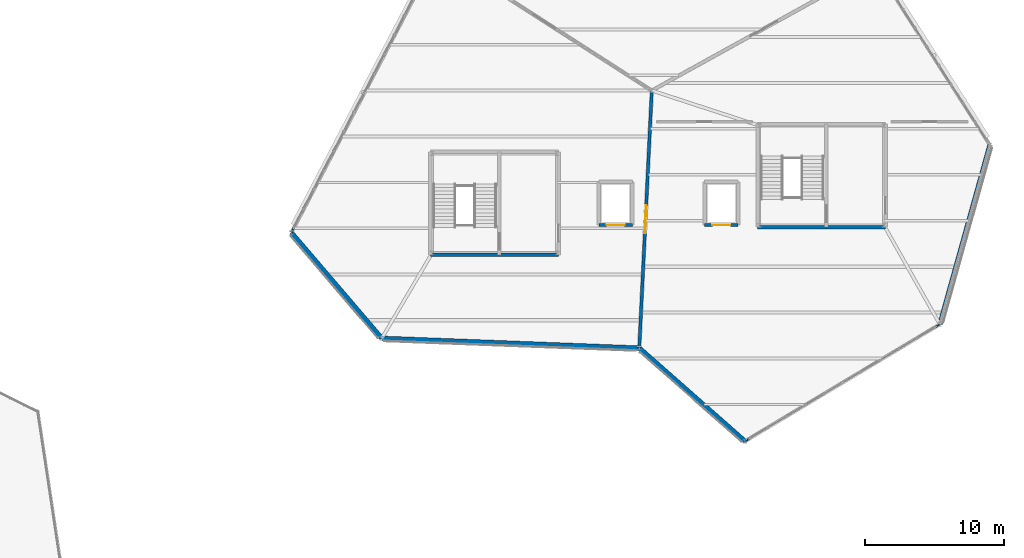
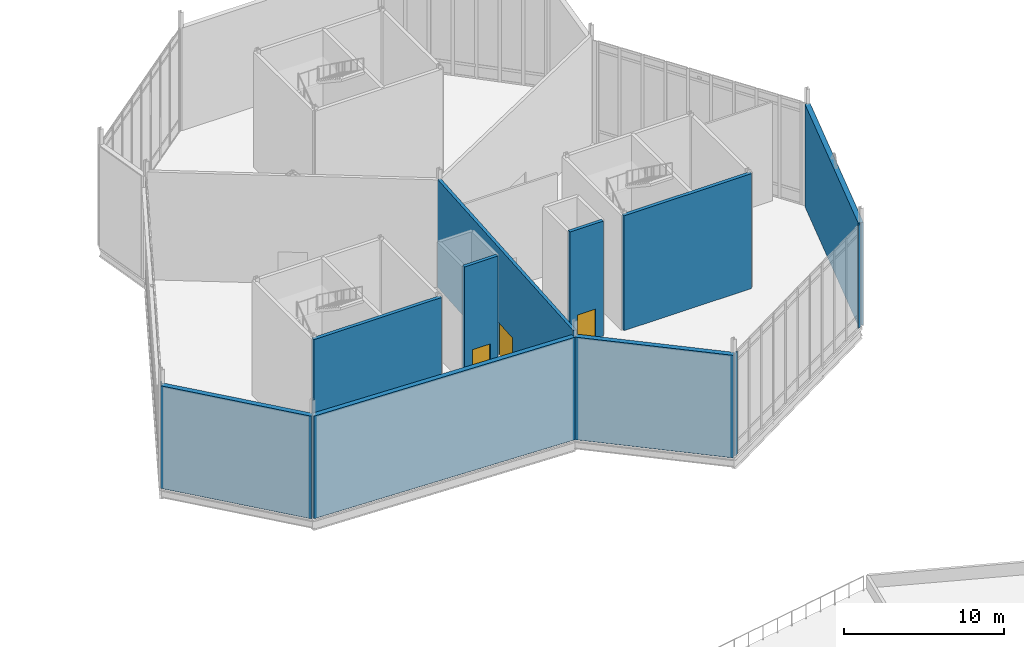
# One storey, part 58 of 66: 12 walls, 3 doors, 3 openings.
"""IFC4 building model written with IfcOpenShell, lengths in metres."""

from ifc_helpers import new_model, si_unit, direction, frame, frame_2d, origin, place, context, subcontext, project, spatial, rectangle, extrude, material, layer, layer_set, type_object, element, fill, save


model = new_model("IFC4")

# Units and contexts
model_context = context("Model", 3, precision=1e-05, world=origin(), true_north=direction((0.0, 1.0)))
body_context = subcontext(model_context, "Body", "Model", "MODEL_VIEW")
ifc_project = project(units=[si_unit("LENGTHUNIT", "METRE"), si_unit("AREAUNIT", "SQUARE_METRE"), si_unit("VOLUMEUNIT", "CUBIC_METRE"), si_unit("PLANEANGLEUNIT", "RADIAN"), si_unit("MASSUNIT", "GRAM", prefix="KILO")], contexts=[model_context])

# Site, building, storey
site_placement = place(None, origin())
site = spatial("IfcSite", under=ifc_project, at=site_placement, CompositionType="ELEMENT")
building_placement = place(site_placement, origin())
building = spatial("IfcBuilding", under=site, at=building_placement, Name="Tameran Prism Museum", CompositionType="ELEMENT")
storey_placement = place(building_placement, frame((0.0, 0.0, 19.800048828125)))
storey = spatial("IfcBuildingStorey", under=building, at=storey_placement, Name="L04", CompositionType="ELEMENT", Elevation=19.800048828125)

# Walls
ifc_material_1 = material(Name="Precast Concrete N40 (40 MPa)", Category="concrete")
ifc_layer_1 = layer(ifc_material_1, 0.094970703125)
ifc_layer_set_1 = layer_set([ifc_layer_1])
wall_type_1 = type_object("IfcWallType", Name="EW-CLOS-095", PredefinedType="SOLIDWALL", material=ifc_layer_set_1)
wall_1_placement = place(storey_placement, frame((92.9189453125, 78.93701171875, 0.0), z_axis=(0.0, 0.0, 1.0), x_axis=(0.464243799771, 0.885707454171, 0.0)))
element("IfcWall", 1, at=wall_1_placement, inside=storey, type_object=wall_type_1, Name="Facade Corner Closure EW-0420", PredefinedType="SOLIDWALL", context=body_context, shape_type="SweptSolid", body=[
    extrude(rectangle(XDim=0.30810546875, YDim=0.094970703125, at=frame_2d((0.154052734375, 0.0))), origin(), (0.0, 0.0, 1.0), 7.820068359375),
])
for number, where, z_axis, x_axis, name in (
    (2, (139.464111328125, 72.278076171875, 0.0), (0.0, 0.0, 1.0), (-0.858261853705, -0.513212032668, 0.0), "Facade Corner Closure EW-0424"),
    (3, (125.800048828125, 64.080078125, 0.0), (0.0, 0.0, 1.0), (-0.858261853705, -0.513212032668, 0.0), "Facade Corner Closure EW-0425"),
):
    element("IfcWall", number, at=place(storey_placement, frame(where, z_axis=z_axis, x_axis=x_axis)), inside=storey, type_object=wall_type_1, Name=name, PredefinedType="SOLIDWALL", context=body_context, shape_type="SweptSolid", body=[
        extrude(rectangle(XDim=0.307861328125, YDim=0.094970703125, at=frame_2d((0.15380859375, 0.0))), origin(), (0.0, 0.0, 1.0), 7.820068359375),
    ])
ifc_material_2 = material(Name="Precast Concrete N40 (40 MPa)", Category="concrete")
ifc_layer_2 = layer(ifc_material_2, 0.340087890625)
ifc_layer_set_2 = layer_set([ifc_layer_2])
wall_type_2 = type_object("IfcWallType", Name="EW-GAL-340", PredefinedType="SOLIDWALL", material=ifc_layer_set_2)
wall_2_placement = place(storey_placement, frame((117.840087890625, 70.60205078125, 0.0), z_axis=(0.0, 0.0, 1.0), x_axis=(-0.999284381651, 0.037824920194, 0.0)))
element("IfcWall", 4, at=wall_2_placement, inside=storey, type_object=wall_type_2, Name="Exterior Fluted Precast Wall EW-0419", PredefinedType="SOLIDWALL", context=body_context, shape_type="SweptSolid", body=[
    extrude(rectangle(XDim=18.453369140625, YDim=0.340087890625, at=frame_2d((9.2265625, 0.0))), origin(), (0.0, 0.0, 1.0), 7.820068359375),
])
wall_3_placement = place(storey_placement, frame((99.39990234375, 71.300048828125, 0.0), z_axis=(0.0, 0.0, 1.0), x_axis=(-0.649974737731, 0.75995581471, 0.0)))
element("IfcWall", 5, at=wall_3_placement, inside=storey, type_object=wall_type_2, Name="Exterior Fluted Precast Wall EW-0422", PredefinedType="SOLIDWALL", context=body_context, shape_type="SweptSolid", body=[
    extrude(rectangle(XDim=10.00048828125, YDim=0.340087890625, at=frame_2d((5.000244140625, 0.0))), origin(), (0.0, 0.0, 1.0), 7.820068359375),
])
wall_4_placement = place(storey_placement, frame((125.5, 63.89990234375, 0.0), z_axis=(0.0, 0.0, 1.0), x_axis=(-0.750131359252, 0.661288850554, 0.0)))
element("IfcWall", 6, at=wall_4_placement, inside=storey, type_object=wall_type_2, Name="Exterior Fluted Precast Wall EW-0423", PredefinedType="SOLIDWALL", context=body_context, shape_type="SweptSolid", body=[
    extrude(rectangle(XDim=10.071533203125, YDim=0.340087890625, at=frame_2d((5.03564453125, 0.0))), origin(), (0.0, 0.0, 1.0), 7.820068359375),
])
wall_5_placement = place(storey_placement, frame((143.10009765625, 85.199951171875, 0.0), z_axis=(0.0, 0.0, 1.0), x_axis=(-0.268807620494, -0.96319388659, 0.0)))
element("IfcWall", 7, at=wall_5_placement, inside=storey, type_object=wall_type_2, Name="Exterior Fluted Precast Wall EW-0426", PredefinedType="SOLIDWALL", context=body_context, shape_type="SweptSolid", body=[
    extrude(rectangle(XDim=13.392822265625, YDim=0.340087890625, at=frame_2d((6.6962890625, 0.0))), origin(), (0.0, 0.0, 1.0), 7.820068359375),
])

# Wall, opening, door
ifc_material_3 = material(Name="Concrete N40 (40 MPa)", Category="concrete")
ifc_layer_3 = layer(ifc_material_3, 0.22509765625)
ifc_layer_set_3 = layer_set([ifc_layer_3])
wall_type_3 = type_object("IfcWallType", Name="IW-CMP-225", PredefinedType="SOLIDWALL", material=ifc_layer_set_3)
wall_6_placement = place(storey_placement, frame((117.89990234375, 70.60009765625, 0.0), z_axis=(0.0, 0.0, 1.0), x_axis=(0.048599072515, 0.998818366947, 0.0)))
wall_6 = element("IfcWall", 8, at=wall_6_placement, inside=storey, type_object=wall_type_3, Name="Compartment Wall IW-0152", PredefinedType="SOLIDWALL", context=body_context, shape_type="SweptSolid", body=[
    extrude(rectangle(XDim=18.52197265625, YDim=0.22509765625, at=frame_2d((9.260986328125, 0.0))), origin(), (0.0, 0.0, 1.0), 8.219970703125),
])
opening_1_placement = place(wall_6_placement, frame((8.260986328125, 0.0, 0.0)))
opening_1 = element("IfcOpeningElement", 9, at=opening_1_placement, cuts=wall_6, Name="Opening ID-0151", PredefinedType="OPENING", context=body_context, shape_type="SweptSolid", body=[
    extrude(rectangle(XDim=2.0, YDim=2.5, at=frame_2d((1.0, 1.25))), frame((0.0, 0.12255859375, 0.0), z_axis=(0.0, -1.0, 0.0), x_axis=(1.0, 0.0, 0.0)), (0.0, 0.0, 1.0), 0.2451171875),
])
ifc_material_4 = material(Name="Fire-Rated Steel Door Leaf and Frame", Category="steel")
door_type_1 = type_object("IfcDoorType", Name="DR-GAL-200", OperationType="DOUBLE_DOOR_SINGLE_SWING", PredefinedType="DOOR", material=ifc_material_4)
door_1_placement = place(opening_1_placement, origin())
door_1 = element("IfcDoor", 10, at=door_1_placement, inside=storey, type_object=door_type_1, Name="Compartment Door ID-0151", OperationType="DOUBLE_DOOR_SINGLE_SWING", OverallHeight=2.5, OverallWidth=2.0, PredefinedType="DOOR", context=body_context, shape_type="SweptSolid", body=[
    extrude(rectangle(XDim=2.0, YDim=2.5, at=frame_2d((1.0, 1.25))), frame((0.0, 0.02490234375, 0.0), z_axis=(0.0, -1.0, 0.0), x_axis=(1.0, 0.0, 0.0)), (0.0, 0.0, 1.0), 0.050048828125),
])
fill(opening_1, door_1)

# Walls
ifc_material_5 = material(Name="Concrete N40 (40 MPa)", Category="concrete")
ifc_layer_4 = layer(ifc_material_5, 0.25)
ifc_layer_set_4 = layer_set([ifc_layer_4])
wall_type_4 = type_object("IfcWallType", Name="IW-COR-250", PredefinedType="SHEAR", material=ifc_layer_set_4)
for number, where, z_axis, x_axis, name in (
    (11, (112.10009765625, 77.300048828125, 0.0), (0.0, 0.0, 1.0), (-1.0, 0.0, 0.0), "Core Shear Wall CW-1-L04-S"),
    (12, (135.60009765625, 79.300048828125, 0.0), (0.0, 0.0, 1.0), (-1.0, 0.0, 0.0), "Core Shear Wall CW-2-L04-S"),
):
    element("IfcWall", number, at=place(storey_placement, frame(where, z_axis=z_axis, x_axis=x_axis)), inside=storey, type_object=wall_type_4, Name=name, PredefinedType="SHEAR", context=body_context, shape_type="SweptSolid", body=[
        extrude(rectangle(XDim=9.2001953125, YDim=0.25, at=frame_2d((4.60009765625, 0.0))), origin(), (0.0, 0.0, 1.0), 8.760009765625),
    ])

# Wall, opening, door
ifc_material_6 = material(Name="Concrete N40 (40 MPa)", Category="concrete")
ifc_layer_5 = layer(ifc_material_6, 0.239990234375)
ifc_layer_set_5 = layer_set([ifc_layer_5])
wall_type_5 = type_object("IfcWallType", Name="IW-LFT-240", PredefinedType="SHEAR", material=ifc_layer_set_5)
wall_7_placement = place(storey_placement, frame((117.39990234375, 79.449951171875, 0.0), z_axis=(0.0, 0.0, 1.0), x_axis=(-1.0, 0.0, 0.0)))
wall_7 = element("IfcWall", 13, at=wall_7_placement, inside=storey, type_object=wall_type_5, Name="Lift Shaft Wall LW-EL01-L04S", PredefinedType="SHEAR", context=body_context, shape_type="SweptSolid", body=[
    extrude(rectangle(XDim=2.39990234375, YDim=0.239990234375, at=frame_2d((1.199951171875, 0.0))), origin(), (0.0, 0.0, 1.0), 8.760009765625),
])
opening_2_placement = place(wall_7_placement, frame((0.550048828125, 0.0, 0.0)))
opening_2 = element("IfcOpeningElement", 14, at=opening_2_placement, cuts=wall_7, Name="Opening LD-EL01-L04", PredefinedType="OPENING", context=body_context, shape_type="SweptSolid", body=[
    extrude(rectangle(XDim=1.300048828125, YDim=2.25, at=frame_2d((0.64990234375, 1.125))), frame((0.0, 0.1298828125, 0.0), z_axis=(0.0, -1.0, 0.0), x_axis=(1.0, 0.0, 0.0)), (0.0, 0.0, 1.0), 0.260009765625),
])
ifc_material_7 = material(Name="Fire-Rated Steel Door Leaf and Frame", Category="steel")
door_type_2 = type_object("IfcDoorType", Name="DR-LD-EL", OperationType="SLIDING_TO_LEFT", PredefinedType="DOOR", material=ifc_material_7)
door_2_placement = place(opening_2_placement, origin())
door_2 = element("IfcDoor", 15, at=door_2_placement, inside=storey, type_object=door_type_2, Name="Emergency Stretcher Lift EL-01 Landing Door L04", OperationType="SLIDING_TO_LEFT", OverallHeight=2.25, OverallWidth=1.300048828125, PredefinedType="DOOR", context=body_context, shape_type="SweptSolid", body=[
    extrude(rectangle(XDim=1.300048828125, YDim=2.25, at=frame_2d((0.64990234375, 1.125))), frame((0.0, 0.02490234375, 0.0), z_axis=(0.0, -1.0, 0.0), x_axis=(1.0, 0.0, 0.0)), (0.0, 0.0, 1.0), 0.050048828125),
])
fill(opening_2, door_2)

wall_8_placement = place(storey_placement, frame((125.0, 79.449951171875, 0.0), z_axis=(0.0, 0.0, 1.0), x_axis=(-1.0, 0.0, 0.0)))
wall_8 = element("IfcWall", 16, at=wall_8_placement, inside=storey, type_object=wall_type_5, Name="Lift Shaft Wall LW-EL02-L04S", PredefinedType="SHEAR", context=body_context, shape_type="SweptSolid", body=[
    extrude(rectangle(XDim=2.39990234375, YDim=0.239990234375, at=frame_2d((1.199951171875, 0.0))), origin(), (0.0, 0.0, 1.0), 8.760009765625),
])
opening_3_placement = place(wall_8_placement, frame((0.550048828125, 0.0, 0.0)))
opening_3 = element("IfcOpeningElement", 17, at=opening_3_placement, cuts=wall_8, Name="Opening LD-EL02-L04", PredefinedType="OPENING", context=body_context, shape_type="SweptSolid", body=[
    extrude(rectangle(XDim=1.300048828125, YDim=2.25, at=frame_2d((0.64990234375, 1.125))), frame((0.0, 0.1298828125, 0.0), z_axis=(0.0, -1.0, 0.0), x_axis=(1.0, 0.0, 0.0)), (0.0, 0.0, 1.0), 0.260009765625),
])
door_3_placement = place(opening_3_placement, origin())
door_3 = element("IfcDoor", 18, at=door_3_placement, inside=storey, type_object=door_type_2, Name="Emergency Stretcher Lift EL-02 Landing Door L04", OperationType="SLIDING_TO_LEFT", OverallHeight=2.25, OverallWidth=1.300048828125, PredefinedType="DOOR", context=body_context, shape_type="SweptSolid", body=[
    extrude(rectangle(XDim=1.300048828125, YDim=2.25, at=frame_2d((0.64990234375, 1.125))), frame((0.0, 0.02490234375, 0.0), z_axis=(0.0, -1.0, 0.0), x_axis=(1.0, 0.0, 0.0)), (0.0, 0.0, 1.0), 0.050048828125),
])
fill(opening_3, door_3)

save(model, "model.ifc")
